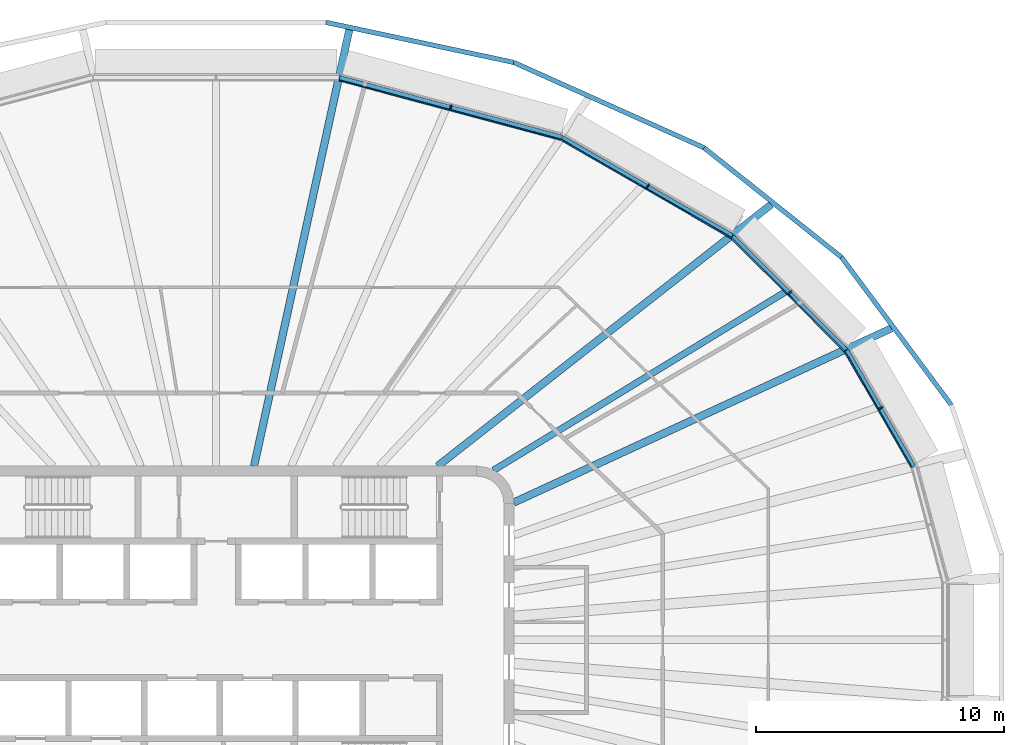
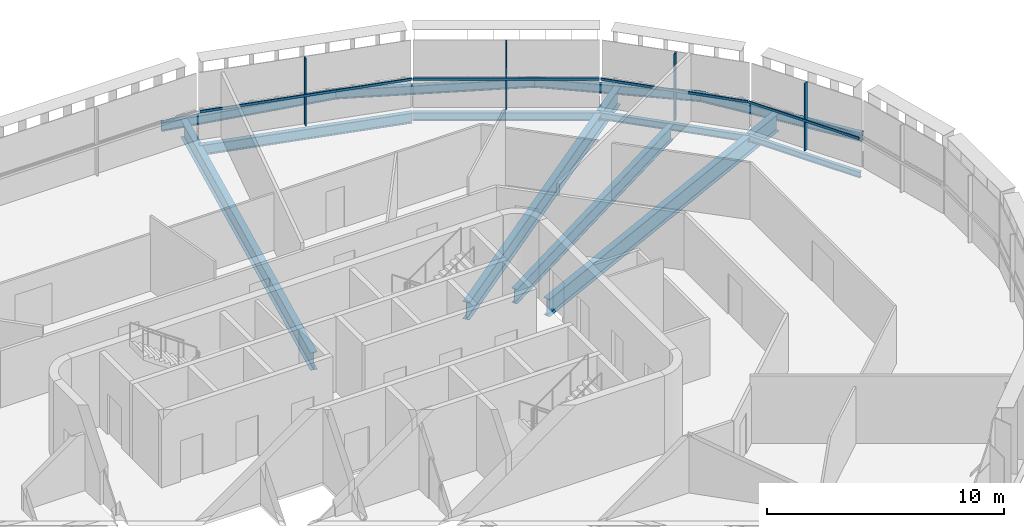
# One storey, part 8 of 19: 12 beams, 8 members, 4 elements without a shape of their own.
"""IFC4 building model written with IfcOpenShell, lengths in metres."""

from ifc_helpers import new_model, si_unit, direction, frame, origin, origin_2d, place, context, subcontext, project, spatial, rectangle, i_section, extrude, material, layer, layer_set, material_profile, profile_set, type_object, element, aggregate, save


model = new_model("IFC4")

# Units and contexts
model_context = context("Model", 3, precision=1e-05, world=origin(), true_north=direction((0.0, 1.0)))
body_context = subcontext(model_context, "Body", "Model", "MODEL_VIEW")
ifc_project = project(units=[si_unit("LENGTHUNIT", "METRE"), si_unit("AREAUNIT", "SQUARE_METRE"), si_unit("VOLUMEUNIT", "CUBIC_METRE"), si_unit("PLANEANGLEUNIT", "RADIAN"), si_unit("MASSUNIT", "GRAM", prefix="KILO")], contexts=[model_context])

# Site, building, storey
site_placement = place(None, origin())
site = spatial("IfcSite", under=ifc_project, at=site_placement, CompositionType="ELEMENT")
building_placement = place(site_placement, origin())
building = spatial("IfcBuilding", under=site, at=building_placement, Name="Sahrelin Media Tower", CompositionType="ELEMENT")
storey_placement = place(building_placement, frame((0.0, 0.0, 275.0)))
storey = spatial("IfcBuildingStorey", under=building, at=storey_placement, Name="L60", CompositionType="ELEMENT", Elevation=275.0)

# Beams
ifc_material_1 = material(Name="Steel S355", Category="steel")
ifc_material_profile_1 = material_profile(ifc_material_1, i_section(OverallWidth=0.1650390625, OverallDepth=0.303466796875, WebThickness=0.006103515625, FlangeThickness=0.01025390625, FilletRadius=0.0087890625, at=origin_2d()), Name="UB 305x165x40")
ifc_profile_set_1 = profile_set([ifc_material_profile_1], Name="Steel S355")
beam_type_1 = type_object("IfcBeamType", Name="Edge beam EB2", PredefinedType="BEAM", material=ifc_profile_set_1)
beam_1_placement = place(storey_placement, frame((25.40576171875, 11.665771484375, -0.3017578125), z_axis=(0.499996136155, -0.866027634565, 0.0), x_axis=(0.866027634565, 0.499996136155, 0.0)))
element("IfcBeam", 1, at=beam_1_placement, inside=storey, type_object=beam_type_1, Name="Edge beam L60-19", PredefinedType="BEAM", context=body_context, shape_type="SweptSolid", body=[
    extrude(i_section(OverallWidth=0.1650390625, OverallDepth=0.303466796875, WebThickness=0.006103515625, FlangeThickness=0.01025390625, FilletRadius=0.0087890625, at=origin_2d()), origin(), (0.0, 0.0, 1.0), 5.4052734375),
])
ifc_material_profile_2 = material_profile(ifc_material_1, i_section(OverallWidth=0.17138671875, OverallDepth=0.35498046875, WebThickness=0.00732421875, FlangeThickness=0.011474609375, FilletRadius=0.01025390625, at=origin_2d()), Name="UB 356x171x51")
ifc_profile_set_2 = profile_set([ifc_material_profile_2], Name="Steel S355")
beam_type_2 = type_object("IfcBeamType", Name="Edge beam EB3", PredefinedType="BEAM", material=ifc_profile_set_2)
beam_2_placement = place(storey_placement, frame((20.81689453125, 16.260009765625, -0.327392578125), z_axis=(0.707106781187, -0.707106781187, 0.0), x_axis=(0.707106781187, 0.707106781187, 0.0)))
element("IfcBeam", 2, at=beam_2_placement, inside=storey, type_object=beam_type_2, Name="Edge beam L60-18", PredefinedType="BEAM", context=body_context, shape_type="SweptSolid", body=[
    extrude(i_section(OverallWidth=0.17138671875, OverallDepth=0.35498046875, WebThickness=0.00732421875, FlangeThickness=0.011474609375, FilletRadius=0.01025390625, at=origin_2d()), origin(), (0.0, 0.0, 1.0), 6.46484375),
])
ifc_material_profile_3 = material_profile(ifc_material_1, i_section(OverallWidth=0.177978515625, OverallDepth=0.406494140625, WebThickness=0.0078125, FlangeThickness=0.0126953125, FilletRadius=0.01025390625, at=origin_2d()), Name="UB 406x178x60")
ifc_profile_set_3 = profile_set([ifc_material_profile_3], Name="Steel S355")
beam_type_3 = type_object("IfcBeamType", Name="Edge beam EB4", PredefinedType="BEAM", material=ifc_profile_set_3)
beam_3_placement = place(storey_placement, frame((13.958740234375, 20.223876953125, -0.353271484375), z_axis=(0.866020753932, -0.500008053694, 0.0), x_axis=(0.500008053694, 0.866020753932, 0.0)))
element("IfcBeam", 3, at=beam_3_placement, inside=storey, type_object=beam_type_3, Name="Edge beam L60-17", PredefinedType="BEAM", context=body_context, shape_type="SweptSolid", body=[
    extrude(i_section(OverallWidth=0.177978515625, OverallDepth=0.406494140625, WebThickness=0.0078125, FlangeThickness=0.0126953125, FilletRadius=0.01025390625, at=origin_2d()), origin(), (0.0, 0.0, 1.0), 7.892822265625),
])
ifc_material_profile_4 = material_profile(ifc_material_1, i_section(OverallWidth=0.208740234375, OverallDepth=0.5283203125, WebThickness=0.009521484375, FlangeThickness=0.01318359375, FilletRadius=0.0126953125, at=origin_2d()), Name="UB 533x210x82")
ifc_profile_set_4 = profile_set([ifc_material_profile_4], Name="Steel S355")
beam_type_4 = type_object("IfcBeamType", Name="Edge beam EB6", PredefinedType="BEAM", material=ifc_profile_set_4)
beam_4_placement = place(storey_placement, frame((4.969482421875, 22.636474609375, -0.4140625), z_axis=(0.965923739773, -0.258826831962, 0.0), x_axis=(0.258826831962, 0.965923739773, 0.0)))
element("IfcBeam", 4, at=beam_4_placement, inside=storey, type_object=beam_type_4, Name="Edge beam L60-16", PredefinedType="BEAM", context=body_context, shape_type="SweptSolid", body=[
    extrude(i_section(OverallWidth=0.208740234375, OverallDepth=0.5283203125, WebThickness=0.009521484375, FlangeThickness=0.01318359375, FilletRadius=0.0126953125, at=origin_2d()), origin(), (0.0, 0.0, 1.0), 9.27880859375),
])

# Curtain wall, member
ifc_material_2 = material(Name="Champagne anodised aluminium 6063-T6", Category="aluminium")
ifc_layer = layer(ifc_material_2, 0.14990234375)
ifc_layer_set = layer_set([ifc_layer], Name="Tower ribbon curtain wall")
curtain_wall_type = type_object("IfcCurtainWallType", Name="Tower ribbon curtain wall", PredefinedType="NOTDEFINED", material=ifc_layer_set)
curtain_wall_1_placement = place(storey_placement, frame((26.886962890625, 9.400146484375, 0.0), z_axis=(0.0, 0.0, 1.0), x_axis=(1.0, 0.0, 0.0)))
curtain_wall_1 = element("IfcCurtainWall", 5, at=curtain_wall_1_placement, inside=storey, type_object=curtain_wall_type, Name="L60:CW:L60-02", PredefinedType="NOTDEFINED")
ifc_material_profile_5 = material_profile(ifc_material_2, rectangle(XDim=0.06005859375, YDim=0.199951171875, at=origin_2d()), Name="Mullion 60x200")
ifc_profile_set_5 = profile_set([ifc_material_profile_5], Name="Champagne anodised aluminium 6063-T6")
member_type_1 = type_object("IfcMemberType", Name="Mullion 60x200 CW1C", PredefinedType="MULLION", material=ifc_profile_set_5)
member_1_placement = place(storey_placement, frame((26.783203125, 9.340087890625, 0.0), z_axis=(0.0, 0.0, 1.0), x_axis=(-0.500001511499, 0.866024531118, 0.0)))
member_1 = element("IfcMember", 6, at=member_1_placement, type_object=member_type_1, Name="L60:CWM:L60-02", PredefinedType="MULLION", context=body_context, shape_type="SweptSolid", body=[
    extrude(rectangle(XDim=0.06005859375, YDim=0.199951171875, at=origin_2d()), origin(), (0.0, 0.0, 1.0), 3.448486328125),
])

curtain_wall_2_placement = place(storey_placement, frame((23.20849609375, 14.080322265625, 0.0), z_axis=(0.0, 0.0, 1.0), x_axis=(1.0, 0.0, 0.0)))
curtain_wall_2 = element("IfcCurtainWall", 7, at=curtain_wall_2_placement, inside=storey, type_object=curtain_wall_type, Name="L60:CW:L60-03", PredefinedType="NOTDEFINED")
member_2_placement = place(storey_placement, frame((23.123779296875, 13.99560546875, 0.0), z_axis=(0.0, 0.0, 1.0), x_axis=(-0.707106781187, 0.707106781187, 0.0)))
member_2 = element("IfcMember", 8, at=member_2_placement, type_object=member_type_1, Name="L60:CWM:L60-03", PredefinedType="MULLION", context=body_context, shape_type="SweptSolid", body=[
    extrude(rectangle(XDim=0.06005859375, YDim=0.199951171875, at=origin_2d()), origin(), (0.0, 0.0, 1.0), 3.448486328125),
])

curtain_wall_3_placement = place(storey_placement, frame((17.451416015625, 18.380615234375, 0.0), z_axis=(0.0, 0.0, 1.0), x_axis=(1.0, 0.0, 0.0)))
curtain_wall_3 = element("IfcCurtainWall", 9, at=curtain_wall_3_placement, inside=storey, type_object=curtain_wall_type, Name="L60:CW:L60-04", PredefinedType="NOTDEFINED")
member_3_placement = place(storey_placement, frame((17.391357421875, 18.276611328125, 0.0), z_axis=(0.0, 0.0, 1.0), x_axis=(-0.866026276448, 0.4999984885, 0.0)))
member_3 = element("IfcMember", 10, at=member_3_placement, type_object=member_type_1, Name="L60:CWM:L60-04", PredefinedType="MULLION", context=body_context, shape_type="SweptSolid", body=[
    extrude(rectangle(XDim=0.06005859375, YDim=0.199951171875, at=origin_2d()), origin(), (0.0, 0.0, 1.0), 3.448486328125),
])

curtain_wall_4_placement = place(storey_placement, frame((9.489501953125, 21.58056640625, 0.0), z_axis=(0.0, 0.0, 1.0), x_axis=(1.0, 0.0, 0.0)))
curtain_wall_4 = element("IfcCurtainWall", 11, at=curtain_wall_4_placement, inside=storey, type_object=curtain_wall_type, Name="L60:CW:L60-05", PredefinedType="NOTDEFINED")
member_4_placement = place(storey_placement, frame((9.45849609375, 21.464599609375, 0.0), z_axis=(0.0, 0.0, 1.0), x_axis=(-0.965924922834, 0.258822416818, 0.0)))
member_4 = element("IfcMember", 12, at=member_4_placement, type_object=member_type_1, Name="L60:CWM:L60-05", PredefinedType="MULLION", context=body_context, shape_type="SweptSolid", body=[
    extrude(rectangle(XDim=0.06005859375, YDim=0.199951171875, at=origin_2d()), origin(), (0.0, 0.0, 1.0), 3.448486328125),
])

# Beams
ifc_material_profile_6 = material_profile(ifc_material_1, i_section(OverallWidth=0.30322265625, OverallDepth=0.903076171875, WebThickness=0.01513671875, FlangeThickness=0.020263671875, FilletRadius=0.01904296875, at=origin_2d()), Name="UB 914x305x201")
ifc_profile_set_6 = profile_set([ifc_material_profile_6], Name="Steel S355")
beam_type_5 = type_object("IfcBeamType", Name="Radial primary beam PB11", PredefinedType="BEAM", material=ifc_profile_set_6)
beam_5_placement = place(storey_placement, frame((11.99560546875, 5.532958984375, -0.6015625), z_axis=(0.908055324306, 0.418850245314, 0.0), x_axis=(-0.418850245314, 0.908055324306, 0.0)))
element("IfcBeam", 13, at=beam_5_placement, inside=storey, type_object=beam_type_5, Name="Radial beam L60-03", PredefinedType="BEAM", context=body_context, shape_type="SweptSolid", body=[
    extrude(i_section(OverallWidth=0.30322265625, OverallDepth=0.903076171875, WebThickness=0.01513671875, FlangeThickness=0.020263671875, FilletRadius=0.01904296875, at=origin_2d()), origin(), (0.0, 0.0, 1.0), 16.75390625),
])
beam_6_placement = place(storey_placement, frame((8.925537109375, 7.0, -0.6015625), z_axis=(0.786867836982, 0.617121549716, 0.0), x_axis=(-0.617121549716, 0.786867836982, 0.0)))
element("IfcBeam", 14, at=beam_6_placement, inside=storey, type_object=beam_type_5, Name="Radial beam L60-04", PredefinedType="BEAM", context=body_context, shape_type="SweptSolid", body=[
    extrude(i_section(OverallWidth=0.30322265625, OverallDepth=0.903076171875, WebThickness=0.01513671875, FlangeThickness=0.020263671875, FilletRadius=0.01904296875, at=origin_2d()), origin(), (0.0, 0.0, 1.0), 17.088134765625),
])
beam_7_placement = place(storey_placement, frame((1.528076171875, 7.0, -0.6015625), z_axis=(0.213278915019, 0.976991353292, 0.0), x_axis=(-0.976991353292, 0.213278915019, 0.0)))
element("IfcBeam", 15, at=beam_7_placement, inside=storey, type_object=beam_type_5, Name="Radial beam L60-06", PredefinedType="BEAM", context=body_context, shape_type="SweptSolid", body=[
    extrude(i_section(OverallWidth=0.30322265625, OverallDepth=0.903076171875, WebThickness=0.01513671875, FlangeThickness=0.020263671875, FilletRadius=0.01904296875, at=origin_2d()), origin(), (0.0, 0.0, 1.0), 17.995849609375),
])
ifc_material_profile_7 = material_profile(ifc_material_1, i_section(OverallWidth=0.26513671875, OverallDepth=0.75390625, WebThickness=0.0126953125, FlangeThickness=0.017578125, FilletRadius=0.0166015625, at=origin_2d()), Name="UB 762x267x147")
ifc_profile_set_7 = profile_set([ifc_material_profile_7], Name="Steel S355")
beam_type_6 = type_object("IfcBeamType", Name="Radial secondary beam SB9", PredefinedType="BEAM", material=ifc_profile_set_7)
beam_8_placement = place(storey_placement, frame((11.1748046875, 6.830078125, -0.527099609375), z_axis=(0.853241553676, 0.521515916422, 0.0), x_axis=(-0.521515916422, 0.853241553676, 0.0)))
element("IfcBeam", 16, at=beam_8_placement, inside=storey, type_object=beam_type_6, Name="Secondary beam L60-03", PredefinedType="BEAM", context=body_context, shape_type="SweptSolid", body=[
    extrude(i_section(OverallWidth=0.26513671875, OverallDepth=0.75390625, WebThickness=0.0126953125, FlangeThickness=0.017578125, FilletRadius=0.0166015625, at=origin_2d()), origin(), (0.0, 0.0, 1.0), 13.78466796875),
])
ifc_material_profile_8 = material_profile(ifc_material_1, i_section(OverallWidth=0.1904296875, OverallDepth=0.45703125, WebThickness=0.009033203125, FlangeThickness=0.014404296875, FilletRadius=0.01025390625, at=origin_2d()), Name="UB 457x191x74")
ifc_profile_set_8 = profile_set([ifc_material_profile_8], Name="Steel S355")
beam_type_7 = type_object("IfcBeamType", Name="Tie chord TC5", PredefinedType="BEAM", material=ifc_profile_set_8)
beam_9_placement = place(storey_placement, frame((29.623291015625, 9.4619140625, -0.37841796875), z_axis=(-0.596572928105, 0.802558871019, 0.0), x_axis=(-0.802558871019, -0.596572928105, 0.0)))
element("IfcBeam", 17, at=beam_9_placement, inside=storey, type_object=beam_type_7, Name="Tie chord L60-02", PredefinedType="BEAM", context=body_context, shape_type="SweptSolid", body=[
    extrude(i_section(OverallWidth=0.1904296875, OverallDepth=0.45703125, WebThickness=0.009033203125, FlangeThickness=0.014404296875, FilletRadius=0.01025390625, at=origin_2d()), origin(), (0.0, 0.0, 1.0), 7.420654296875),
])
beam_10_placement = place(storey_placement, frame((25.1962890625, 15.41748046875, -0.37841796875), z_axis=(-0.782259913581, 0.622952187254, 0.0), x_axis=(-0.622952187254, -0.782259913581, 0.0)))
element("IfcBeam", 18, at=beam_10_placement, inside=storey, type_object=beam_type_7, Name="Tie chord L60-03", PredefinedType="BEAM", context=body_context, shape_type="SweptSolid", body=[
    extrude(i_section(OverallWidth=0.1904296875, OverallDepth=0.45703125, WebThickness=0.009033203125, FlangeThickness=0.014404296875, FilletRadius=0.01025390625, at=origin_2d()), origin(), (0.0, 0.0, 1.0), 7.07861328125),
])
beam_11_placement = place(storey_placement, frame((19.658935546875, 19.8271484375, -0.37841796875), z_axis=(-0.912455094562, 0.409176857128, 0.0), x_axis=(-0.409176857128, -0.912455094562, 0.0)))
element("IfcBeam", 19, at=beam_11_placement, inside=storey, type_object=beam_type_7, Name="Tie chord L60-04", PredefinedType="BEAM", context=body_context, shape_type="SweptSolid", body=[
    extrude(i_section(OverallWidth=0.1904296875, OverallDepth=0.45703125, WebThickness=0.009033203125, FlangeThickness=0.014404296875, FilletRadius=0.01025390625, at=origin_2d()), origin(), (0.0, 0.0, 1.0), 8.4033203125),
])
beam_12_placement = place(storey_placement, frame((11.9912109375, 23.265625, -0.37841796875), z_axis=(-0.977984505567, 0.208677518843, 0.0), x_axis=(-0.208677518843, -0.977984505567, 0.0)))
element("IfcBeam", 20, at=beam_12_placement, inside=storey, type_object=beam_type_7, Name="Tie chord L60-05", PredefinedType="BEAM", context=body_context, shape_type="SweptSolid", body=[
    extrude(i_section(OverallWidth=0.1904296875, OverallDepth=0.45703125, WebThickness=0.009033203125, FlangeThickness=0.014404296875, FilletRadius=0.01025390625, at=origin_2d()), origin(), (0.0, 0.0, 1.0), 7.734375),
])

# Member
ifc_material_profile_9 = material_profile(ifc_material_2, rectangle(XDim=0.050048828125, YDim=0.1201171875, at=origin_2d()), Name="Transom 50x120")
ifc_profile_set_9 = profile_set([ifc_material_profile_9], Name="Champagne anodised aluminium 6063-T6")
member_type_2 = type_object("IfcMemberType", Name="Transom 50x120 CW1C", PredefinedType="USERDEFINED", material=ifc_profile_set_9)
member_5_placement = place(storey_placement, frame((28.018310546875, 6.95068359375, 1.60009765625), z_axis=(-0.49999903979, 0.866025958161, 0.0), x_axis=(-0.866025958161, -0.49999903979, 0.0)))
member_5 = element("IfcMember", 21, at=member_5_placement, type_object=member_type_2, Name="L60:CWT:L60-02", ObjectType="TRANSOM", PredefinedType="USERDEFINED", context=body_context, shape_type="SweptSolid", body=[
    extrude(rectangle(XDim=0.050048828125, YDim=0.1201171875, at=origin_2d()), origin(), (0.0, 0.0, 1.0), 5.3740234375),
])

aggregate(curtain_wall_1, [member_1, member_5])

member_6_placement = place(storey_placement, frame((25.309814453125, 11.632568359375, 1.60009765625), z_axis=(-0.707087805841, 0.707125756023, 0.0), x_axis=(-0.707125756023, -0.707087805841, 0.0)))
member_6 = element("IfcMember", 22, at=member_6_placement, type_object=member_type_2, Name="L60:CWT:L60-03", ObjectType="TRANSOM", PredefinedType="USERDEFINED", context=body_context, shape_type="SweptSolid", body=[
    extrude(rectangle(XDim=0.050048828125, YDim=0.1201171875, at=origin_2d()), origin(), (0.0, 0.0, 1.0), 6.43310546875),
])

aggregate(curtain_wall_2, [member_2, member_6])

member_7_placement = place(storey_placement, frame((20.73291015625, 16.202880859375, 1.60009765625), z_axis=(-0.866011816304, 0.500023533469, 0.0), x_axis=(-0.500023533469, -0.866011816304, 0.0)))
member_7 = element("IfcMember", 23, at=member_7_placement, type_object=member_type_2, Name="L60:CWT:L60-04", ObjectType="TRANSOM", PredefinedType="USERDEFINED", context=body_context, shape_type="SweptSolid", body=[
    extrude(rectangle(XDim=0.050048828125, YDim=0.1201171875, at=origin_2d()), origin(), (0.0, 0.0, 1.0), 7.861328125),
])

aggregate(curtain_wall_3, [member_3, member_7])

member_8_placement = place(storey_placement, frame((13.892333984375, 20.147216796875, 1.60009765625), z_axis=(-0.965927074769, 0.258814385666, 0.0), x_axis=(-0.258814385666, -0.965927074769, 0.0)))
member_8 = element("IfcMember", 24, at=member_8_placement, type_object=member_type_2, Name="L60:CWT:L60-05", ObjectType="TRANSOM", PredefinedType="USERDEFINED", context=body_context, shape_type="SweptSolid", body=[
    extrude(rectangle(XDim=0.050048828125, YDim=0.1201171875, at=origin_2d()), origin(), (0.0, 0.0, 1.0), 9.247314453125),
])

aggregate(curtain_wall_4, [member_4, member_8])

save(model, "model.ifc")
